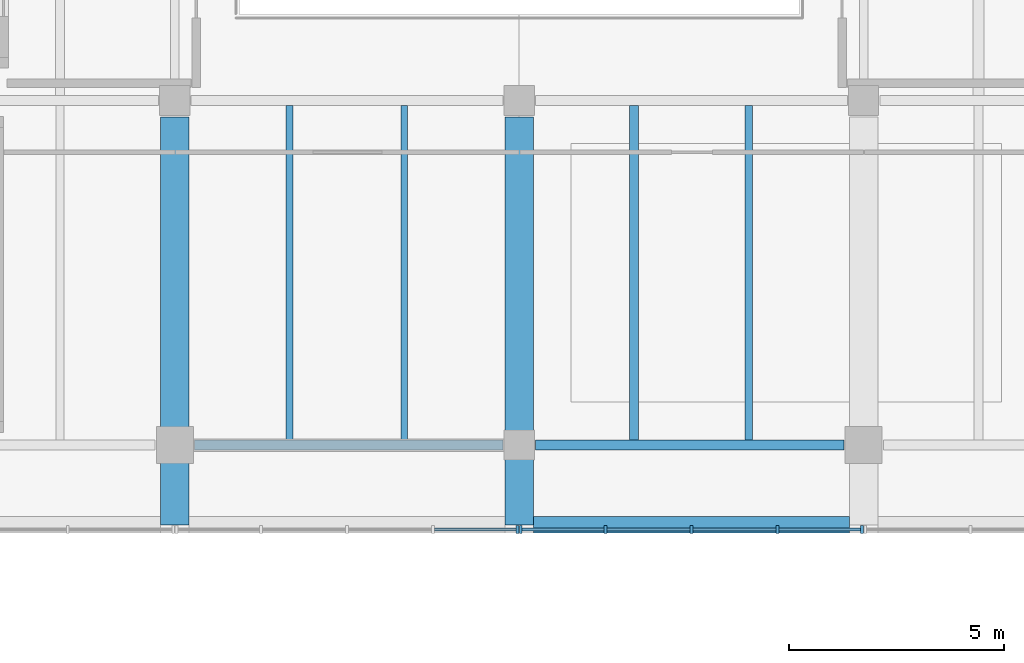
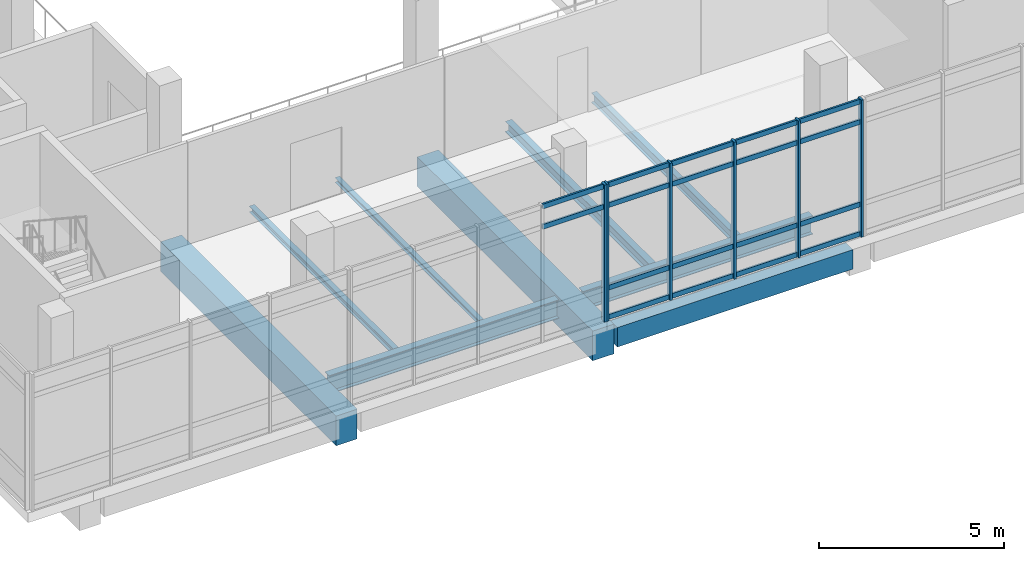
# One storey, part 14 of 47: 24 members, 9 beams, 2 elements without a shape of their own.
"""IFC4 building model written with IfcOpenShell, lengths in metres."""

from ifc_helpers import new_model, si_unit, direction, frame, origin, origin_2d, place, context, subcontext, project, spatial, rectangle, i_section, extrude, material, material_profile, profile_set, type_object, element, aggregate, save


model = new_model("IFC4")

# Units and contexts
model_context = context("Model", 3, precision=1e-05, world=origin(), true_north=direction((0.0, 1.0)))
body_context = subcontext(model_context, "Body", "Model", "MODEL_VIEW")
ifc_project = project(units=[si_unit("LENGTHUNIT", "METRE"), si_unit("AREAUNIT", "SQUARE_METRE"), si_unit("VOLUMEUNIT", "CUBIC_METRE"), si_unit("PLANEANGLEUNIT", "RADIAN"), si_unit("MASSUNIT", "GRAM", prefix="KILO")], contexts=[model_context])

# Site, building, storey
site_placement = place(None, origin())
site = spatial("IfcSite", under=ifc_project, at=site_placement, CompositionType="ELEMENT")
building_placement = place(site_placement, origin())
building = spatial("IfcBuilding", under=site, at=building_placement, Name="Pecanmere Concourse Central Library", CompositionType="ELEMENT")
storey_placement = place(building_placement, frame((0.0, 0.0, 15.300048828125)))
storey = spatial("IfcBuildingStorey", under=building, at=storey_placement, Name="L04", CompositionType="ELEMENT", Elevation=15.300048828125)

# Curtain wall, member
ifc_material_1 = material(Name="Anodized bronze aluminium alloy 6063-T6", Category="aluminium")
curtain_wall_type = type_object("IfcCurtainWallType", Name="CW_PLUMB_BANDED", PredefinedType="USERDEFINED", material=ifc_material_1)
curtain_wall_1_placement = place(storey_placement, origin())
curtain_wall_1 = element("IfcCurtainWall", 1, at=curtain_wall_1_placement, inside=storey, type_object=curtain_wall_type, Name="Unitised Curtain Wall CW-02 L04-043", ObjectType="UNITISED CURTAIN WALL", PredefinedType="USERDEFINED")
ifc_material_2 = material(Name="Anodized bronze aluminium alloy 6063-T6", Category="aluminium")
ifc_material_profile_1 = material_profile(ifc_material_2, rectangle(XDim=0.06494140625, YDim=0.179931640625, at=origin_2d()), Name="AL 65x180")
ifc_profile_set_1 = profile_set([ifc_material_profile_1], Name="Anodized bronze aluminium alloy 6063-T6")
member_type_1 = type_object("IfcMemberType", Name="CWM_180x65", PredefinedType="MULLION", material=ifc_profile_set_1)
member_1_placement = place(storey_placement, frame((87.96240234375, 88.03857421875, 0.0), z_axis=(0.0, 0.0, 1.0), x_axis=(1.0, 0.0, 0.0)))
member_1 = element("IfcMember", 2, at=member_1_placement, type_object=member_type_1, Name="CW-02 Mullion 5", PredefinedType="MULLION", context=body_context, shape_type="SweptSolid", body=[
    extrude(rectangle(XDim=0.06494140625, YDim=0.179931640625, at=origin_2d()), origin(), (0.0, 0.0, 1.0), 4.52001953125),
])

# Curtain wall, members
curtain_wall_2_placement = place(storey_placement, origin())
curtain_wall_2 = element("IfcCurtainWall", 3, at=curtain_wall_2_placement, inside=storey, type_object=curtain_wall_type, Name="Unitised Curtain Wall CW-02 L04-044", ObjectType="UNITISED CURTAIN WALL", PredefinedType="USERDEFINED")
member_2_placement = place(storey_placement, frame((88.03759765625, 88.03857421875, 0.0), z_axis=(0.0, 0.0, 1.0), x_axis=(1.0, 0.0, 0.0)))
member_2 = element("IfcMember", 4, at=member_2_placement, type_object=member_type_1, Name="CW-02 Mullion 1", PredefinedType="MULLION", context=body_context, shape_type="SweptSolid", body=[
    extrude(rectangle(XDim=0.06494140625, YDim=0.179931640625, at=origin_2d()), origin(), (0.0, 0.0, 1.0), 4.52001953125),
])
member_3_placement = place(storey_placement, frame((90.00244140625, 88.03857421875, 0.0), z_axis=(0.0, 0.0, 1.0), x_axis=(1.0, 0.0, 0.0)))
member_3 = element("IfcMember", 5, at=member_3_placement, type_object=member_type_1, Name="CW-02 Mullion 2", PredefinedType="MULLION", context=body_context, shape_type="SweptSolid", body=[
    extrude(rectangle(XDim=0.06494140625, YDim=0.179931640625, at=origin_2d()), origin(), (0.0, 0.0, 1.0), 4.52001953125),
])
member_4_placement = place(storey_placement, frame((92.0, 88.03857421875, 0.0), z_axis=(0.0, 0.0, 1.0), x_axis=(1.0, 0.0, 0.0)))
member_4 = element("IfcMember", 6, at=member_4_placement, type_object=member_type_1, Name="CW-02 Mullion 3", PredefinedType="MULLION", context=body_context, shape_type="SweptSolid", body=[
    extrude(rectangle(XDim=0.06494140625, YDim=0.179931640625, at=origin_2d()), origin(), (0.0, 0.0, 1.0), 4.52001953125),
])
member_5_placement = place(storey_placement, frame((93.99755859375, 88.03857421875, 0.0), z_axis=(0.0, 0.0, 1.0), x_axis=(1.0, 0.0, 0.0)))
member_5 = element("IfcMember", 7, at=member_5_placement, type_object=member_type_1, Name="CW-02 Mullion 4", PredefinedType="MULLION", context=body_context, shape_type="SweptSolid", body=[
    extrude(rectangle(XDim=0.06494140625, YDim=0.179931640625, at=origin_2d()), origin(), (0.0, 0.0, 1.0), 4.52001953125),
])
member_6_placement = place(storey_placement, frame((95.96240234375, 88.03857421875, 0.0), z_axis=(0.0, 0.0, 1.0), x_axis=(1.0, 0.0, 0.0)))
member_6 = element("IfcMember", 8, at=member_6_placement, type_object=member_type_1, Name="CW-02 Mullion 5", PredefinedType="MULLION", context=body_context, shape_type="SweptSolid", body=[
    extrude(rectangle(XDim=0.06494140625, YDim=0.179931640625, at=origin_2d()), origin(), (0.0, 0.0, 1.0), 4.52001953125),
])

# Member
ifc_material_3 = material(Name="Anodized bronze aluminium alloy 6063-T6", Category="aluminium")
ifc_material_profile_2 = material_profile(ifc_material_3, rectangle(XDim=0.06005859375, YDim=0.159912109375, at=origin_2d()), Name="AL 60x160")
ifc_profile_set_2 = profile_set([ifc_material_profile_2], Name="Anodized bronze aluminium alloy 6063-T6")
member_type_2 = type_object("IfcMemberType", Name="CWT_160x60", PredefinedType="USERDEFINED", material=ifc_profile_set_2)
member_7_placement = place(storey_placement, frame((86.030029296875, 88.03857421875, 3.77001953125), z_axis=(1.0, 0.0, 0.0), x_axis=(0.0, 1.0, 0.0)))
member_7 = element("IfcMember", 9, at=member_7_placement, type_object=member_type_2, Name="CW-02 Transom 4.3", ObjectType="TRANSOM", PredefinedType="USERDEFINED", context=body_context, shape_type="SweptSolid", body=[
    extrude(rectangle(XDim=0.06005859375, YDim=0.159912109375, at=origin_2d()), origin(), (0.0, 0.0, 1.0), 1.89990234375),
])

member_8_placement = place(storey_placement, frame((86.030029296875, 88.03857421875, 4.43994140625), z_axis=(1.0, 0.0, 0.0), x_axis=(0.0, 1.0, 0.0)))
member_8 = element("IfcMember", 10, at=member_8_placement, type_object=member_type_2, Name="CW-02 Transom 4.4", ObjectType="TRANSOM", PredefinedType="USERDEFINED", context=body_context, shape_type="SweptSolid", body=[
    extrude(rectangle(XDim=0.06005859375, YDim=0.159912109375, at=origin_2d()), origin(), (0.0, 0.0, 1.0), 1.89990234375),
])

aggregate(curtain_wall_1, [member_1, member_7, member_8])

member_9_placement = place(storey_placement, frame((88.070068359375, 88.03857421875, 0.079833984375), z_axis=(1.0, 0.0, 0.0), x_axis=(0.0, 1.0, 0.0)))
member_9 = element("IfcMember", 11, at=member_9_placement, type_object=member_type_2, Name="CW-02 Transom 1.1", ObjectType="TRANSOM", PredefinedType="USERDEFINED", context=body_context, shape_type="SweptSolid", body=[
    extrude(rectangle(XDim=0.06005859375, YDim=0.159912109375, at=origin_2d()), origin(), (0.0, 0.0, 1.0), 1.89990234375),
])

member_10_placement = place(storey_placement, frame((88.070068359375, 88.03857421875, 1.050048828125), z_axis=(1.0, 0.0, 0.0), x_axis=(0.0, 1.0, 0.0)))
member_10 = element("IfcMember", 12, at=member_10_placement, type_object=member_type_2, Name="CW-02 Transom 1.2", ObjectType="TRANSOM", PredefinedType="USERDEFINED", context=body_context, shape_type="SweptSolid", body=[
    extrude(rectangle(XDim=0.06005859375, YDim=0.159912109375, at=origin_2d()), origin(), (0.0, 0.0, 1.0), 1.89990234375),
])

member_11_placement = place(storey_placement, frame((88.070068359375, 88.03857421875, 3.77001953125), z_axis=(1.0, 0.0, 0.0), x_axis=(0.0, 1.0, 0.0)))
member_11 = element("IfcMember", 13, at=member_11_placement, type_object=member_type_2, Name="CW-02 Transom 1.3", ObjectType="TRANSOM", PredefinedType="USERDEFINED", context=body_context, shape_type="SweptSolid", body=[
    extrude(rectangle(XDim=0.06005859375, YDim=0.159912109375, at=origin_2d()), origin(), (0.0, 0.0, 1.0), 1.89990234375),
])

member_12_placement = place(storey_placement, frame((88.070068359375, 88.03857421875, 4.43994140625), z_axis=(1.0, 0.0, 0.0), x_axis=(0.0, 1.0, 0.0)))
member_12 = element("IfcMember", 14, at=member_12_placement, type_object=member_type_2, Name="CW-02 Transom 1.4", ObjectType="TRANSOM", PredefinedType="USERDEFINED", context=body_context, shape_type="SweptSolid", body=[
    extrude(rectangle(XDim=0.06005859375, YDim=0.159912109375, at=origin_2d()), origin(), (0.0, 0.0, 1.0), 1.89990234375),
])

member_13_placement = place(storey_placement, frame((90.034912109375, 88.03857421875, 0.079833984375), z_axis=(1.0, 0.0, 0.0), x_axis=(0.0, 1.0, 0.0)))
member_13 = element("IfcMember", 15, at=member_13_placement, type_object=member_type_2, Name="CW-02 Transom 2.1", ObjectType="TRANSOM", PredefinedType="USERDEFINED", context=body_context, shape_type="SweptSolid", body=[
    extrude(rectangle(XDim=0.06005859375, YDim=0.159912109375, at=origin_2d()), origin(), (0.0, 0.0, 1.0), 1.9326171875),
])

member_14_placement = place(storey_placement, frame((90.034912109375, 88.03857421875, 1.050048828125), z_axis=(1.0, 0.0, 0.0), x_axis=(0.0, 1.0, 0.0)))
member_14 = element("IfcMember", 16, at=member_14_placement, type_object=member_type_2, Name="CW-02 Transom 2.2", ObjectType="TRANSOM", PredefinedType="USERDEFINED", context=body_context, shape_type="SweptSolid", body=[
    extrude(rectangle(XDim=0.06005859375, YDim=0.159912109375, at=origin_2d()), origin(), (0.0, 0.0, 1.0), 1.9326171875),
])

member_15_placement = place(storey_placement, frame((90.034912109375, 88.03857421875, 3.77001953125), z_axis=(1.0, 0.0, 0.0), x_axis=(0.0, 1.0, 0.0)))
member_15 = element("IfcMember", 17, at=member_15_placement, type_object=member_type_2, Name="CW-02 Transom 2.3", ObjectType="TRANSOM", PredefinedType="USERDEFINED", context=body_context, shape_type="SweptSolid", body=[
    extrude(rectangle(XDim=0.06005859375, YDim=0.159912109375, at=origin_2d()), origin(), (0.0, 0.0, 1.0), 1.9326171875),
])

member_16_placement = place(storey_placement, frame((90.034912109375, 88.03857421875, 4.43994140625), z_axis=(1.0, 0.0, 0.0), x_axis=(0.0, 1.0, 0.0)))
member_16 = element("IfcMember", 18, at=member_16_placement, type_object=member_type_2, Name="CW-02 Transom 2.4", ObjectType="TRANSOM", PredefinedType="USERDEFINED", context=body_context, shape_type="SweptSolid", body=[
    extrude(rectangle(XDim=0.06005859375, YDim=0.159912109375, at=origin_2d()), origin(), (0.0, 0.0, 1.0), 1.9326171875),
])

member_17_placement = place(storey_placement, frame((92.032470703125, 88.03857421875, 0.079833984375), z_axis=(1.0, 0.0, 0.0), x_axis=(0.0, 1.0, 0.0)))
member_17 = element("IfcMember", 19, at=member_17_placement, type_object=member_type_2, Name="CW-02 Transom 3.1", ObjectType="TRANSOM", PredefinedType="USERDEFINED", context=body_context, shape_type="SweptSolid", body=[
    extrude(rectangle(XDim=0.06005859375, YDim=0.159912109375, at=origin_2d()), origin(), (0.0, 0.0, 1.0), 1.9326171875),
])

member_18_placement = place(storey_placement, frame((92.032470703125, 88.03857421875, 1.050048828125), z_axis=(1.0, 0.0, 0.0), x_axis=(0.0, 1.0, 0.0)))
member_18 = element("IfcMember", 20, at=member_18_placement, type_object=member_type_2, Name="CW-02 Transom 3.2", ObjectType="TRANSOM", PredefinedType="USERDEFINED", context=body_context, shape_type="SweptSolid", body=[
    extrude(rectangle(XDim=0.06005859375, YDim=0.159912109375, at=origin_2d()), origin(), (0.0, 0.0, 1.0), 1.9326171875),
])

member_19_placement = place(storey_placement, frame((92.032470703125, 88.03857421875, 3.77001953125), z_axis=(1.0, 0.0, 0.0), x_axis=(0.0, 1.0, 0.0)))
member_19 = element("IfcMember", 21, at=member_19_placement, type_object=member_type_2, Name="CW-02 Transom 3.3", ObjectType="TRANSOM", PredefinedType="USERDEFINED", context=body_context, shape_type="SweptSolid", body=[
    extrude(rectangle(XDim=0.06005859375, YDim=0.159912109375, at=origin_2d()), origin(), (0.0, 0.0, 1.0), 1.9326171875),
])

member_20_placement = place(storey_placement, frame((92.032470703125, 88.03857421875, 4.43994140625), z_axis=(1.0, 0.0, 0.0), x_axis=(0.0, 1.0, 0.0)))
member_20 = element("IfcMember", 22, at=member_20_placement, type_object=member_type_2, Name="CW-02 Transom 3.4", ObjectType="TRANSOM", PredefinedType="USERDEFINED", context=body_context, shape_type="SweptSolid", body=[
    extrude(rectangle(XDim=0.06005859375, YDim=0.159912109375, at=origin_2d()), origin(), (0.0, 0.0, 1.0), 1.9326171875),
])

member_21_placement = place(storey_placement, frame((94.030029296875, 88.03857421875, 0.079833984375), z_axis=(1.0, 0.0, 0.0), x_axis=(0.0, 1.0, 0.0)))
member_21 = element("IfcMember", 23, at=member_21_placement, type_object=member_type_2, Name="CW-02 Transom 4.1", ObjectType="TRANSOM", PredefinedType="USERDEFINED", context=body_context, shape_type="SweptSolid", body=[
    extrude(rectangle(XDim=0.06005859375, YDim=0.159912109375, at=origin_2d()), origin(), (0.0, 0.0, 1.0), 1.89990234375),
])

member_22_placement = place(storey_placement, frame((94.030029296875, 88.03857421875, 1.050048828125), z_axis=(1.0, 0.0, 0.0), x_axis=(0.0, 1.0, 0.0)))
member_22 = element("IfcMember", 24, at=member_22_placement, type_object=member_type_2, Name="CW-02 Transom 4.2", ObjectType="TRANSOM", PredefinedType="USERDEFINED", context=body_context, shape_type="SweptSolid", body=[
    extrude(rectangle(XDim=0.06005859375, YDim=0.159912109375, at=origin_2d()), origin(), (0.0, 0.0, 1.0), 1.89990234375),
])

member_23_placement = place(storey_placement, frame((94.030029296875, 88.03857421875, 3.77001953125), z_axis=(1.0, 0.0, 0.0), x_axis=(0.0, 1.0, 0.0)))
member_23 = element("IfcMember", 25, at=member_23_placement, type_object=member_type_2, Name="CW-02 Transom 4.3", ObjectType="TRANSOM", PredefinedType="USERDEFINED", context=body_context, shape_type="SweptSolid", body=[
    extrude(rectangle(XDim=0.06005859375, YDim=0.159912109375, at=origin_2d()), origin(), (0.0, 0.0, 1.0), 1.89990234375),
])

member_24_placement = place(storey_placement, frame((94.030029296875, 88.03857421875, 4.43994140625), z_axis=(1.0, 0.0, 0.0), x_axis=(0.0, 1.0, 0.0)))
member_24 = element("IfcMember", 26, at=member_24_placement, type_object=member_type_2, Name="CW-02 Transom 4.4", ObjectType="TRANSOM", PredefinedType="USERDEFINED", context=body_context, shape_type="SweptSolid", body=[
    extrude(rectangle(XDim=0.06005859375, YDim=0.159912109375, at=origin_2d()), origin(), (0.0, 0.0, 1.0), 1.89990234375),
])

aggregate(curtain_wall_2, [member_2, member_3, member_4, member_5, member_6, member_9, member_10, member_11, member_12, member_13, member_14, member_15, member_16, member_17, member_18, member_19, member_20, member_21, member_22, member_23, member_24])

# Beams
ifc_material_4 = material(Name="Concrete C40/50", Category="concrete")
ifc_material_profile_3 = material_profile(ifc_material_4, rectangle(XDim=0.659912109375, YDim=0.97998046875, at=origin_2d()), Name="RC 660x980")
ifc_profile_set_3 = profile_set([ifc_material_profile_3], Name="Concrete C40/50")
beam_type_1 = type_object("IfcBeamType", Name="GRD_660x980", PredefinedType="USERDEFINED", material=ifc_profile_set_3)
for number, where, z_axis, x_axis, name in (
    (27, (80.0, 88.1484375, -0.81005859375), (0.0, 1.0, 0.0), (-1.0, 0.0, 0.0), "Primary Girder Y L04-2275"),
    (28, (88.0, 88.1484375, -0.81005859375), (0.0, 1.0, 0.0), (-1.0, 0.0, 0.0), "Primary Girder Y L04-2279"),
):
    element("IfcBeam", number, at=place(storey_placement, frame(where, z_axis=z_axis, x_axis=x_axis)), inside=storey, type_object=beam_type_1, Name=name, ObjectType="GIRDER", PredefinedType="USERDEFINED", context=body_context, shape_type="SweptSolid", body=[
        extrude(rectangle(XDim=0.659912109375, YDim=0.97998046875, at=origin_2d()), origin(), (0.0, 0.0, 1.0), 9.4765625),
    ])
ifc_material_5 = material(Name="Structural steel ASTM A992 Grade 50", Category="steel")
ifc_material_profile_4 = material_profile(ifc_material_5, i_section(OverallWidth=0.152099609375, OverallDepth=0.152099609375, WebThickness=0.005859375, FlangeThickness=0.006591796875, at=origin_2d()), Name="W150x22.5")
ifc_profile_set_4 = profile_set([ifc_material_profile_4], Name="Structural steel ASTM A992 Grade 50")
beam_type_2 = type_object("IfcBeamType", Name="SBM_W150x22", PredefinedType="LINTEL", material=ifc_profile_set_4)
beam_1_placement = place(storey_placement, frame((85.333251953125, 90.114990234375, -0.39599609375), z_axis=(0.0, 1.0, 0.0), x_axis=(-1.0, 0.0, 0.0)))
element("IfcBeam", 29, at=beam_1_placement, inside=storey, type_object=beam_type_2, Name="Secondary Floor Joist L04-2388", PredefinedType="LINTEL", context=body_context, shape_type="SweptSolid", body=[
    extrude(i_section(OverallWidth=0.152099609375, OverallDepth=0.152099609375, WebThickness=0.005859375, FlangeThickness=0.006591796875, at=origin_2d()), origin(), (0.0, 0.0, 1.0), 7.77001953125),
])
ifc_material_6 = material(Name="Structural steel ASTM A992 Grade 50", Category="steel")
ifc_material_profile_5 = material_profile(ifc_material_6, i_section(OverallWidth=0.1650390625, OverallDepth=0.200927734375, WebThickness=0.006103515625, FlangeThickness=0.01025390625, at=origin_2d()), Name="W200x35.9")
ifc_profile_set_5 = profile_set([ifc_material_profile_5], Name="Structural steel ASTM A992 Grade 50")
beam_type_3 = type_object("IfcBeamType", Name="SBM_W200x36", PredefinedType="LINTEL", material=ifc_profile_set_5)
beam_2_placement = place(storey_placement, frame((82.666748046875, 90.114990234375, -0.420654296875), z_axis=(0.0, 1.0, 0.0), x_axis=(-1.0, 0.0, 0.0)))
element("IfcBeam", 30, at=beam_2_placement, inside=storey, type_object=beam_type_3, Name="Secondary Floor Joist L04-2387", PredefinedType="LINTEL", context=body_context, shape_type="SweptSolid", body=[
    extrude(i_section(OverallWidth=0.1650390625, OverallDepth=0.200927734375, WebThickness=0.006103515625, FlangeThickness=0.01025390625, at=origin_2d()), origin(), (0.0, 0.0, 1.0), 7.77001953125),
])
ifc_material_7 = material(Name="Structural steel ASTM A992 Grade 50", Category="steel")
ifc_material_profile_6 = material_profile(ifc_material_7, i_section(OverallWidth=0.1669921875, OverallDepth=0.31689453125, WebThickness=0.007568359375, FlangeThickness=0.01318359375, at=origin_2d()), Name="W310x52")
ifc_profile_set_6 = profile_set([ifc_material_profile_6], Name="Structural steel ASTM A992 Grade 50")
beam_type_4 = type_object("IfcBeamType", Name="SBM_W310x52", PredefinedType="JOIST", material=ifc_profile_set_6)
beam_3_placement = place(storey_placement, frame((93.333251953125, 90.114990234375, -0.478515625), z_axis=(0.0, 1.0, 0.0), x_axis=(-1.0, 0.0, 0.0)))
element("IfcBeam", 31, at=beam_3_placement, inside=storey, type_object=beam_type_4, Name="Secondary Floor Joist L04-2392", PredefinedType="JOIST", context=body_context, shape_type="SweptSolid", body=[
    extrude(i_section(OverallWidth=0.1669921875, OverallDepth=0.31689453125, WebThickness=0.007568359375, FlangeThickness=0.01318359375, at=origin_2d()), origin(), (0.0, 0.0, 1.0), 7.77001953125),
])
ifc_material_8 = material(Name="Structural steel ASTM A992 Grade 50", Category="steel")
ifc_material_profile_7 = material_profile(ifc_material_8, i_section(OverallWidth=0.202880859375, OverallDepth=0.346923828125, WebThickness=0.0078125, FlangeThickness=0.013427734375, at=origin_2d()), Name="W360x64")
ifc_profile_set_7 = profile_set([ifc_material_profile_7], Name="Structural steel ASTM A992 Grade 50")
beam_type_5 = type_object("IfcBeamType", Name="SBM_W360x64", PredefinedType="JOIST", material=ifc_profile_set_7)
beam_4_placement = place(storey_placement, frame((90.666748046875, 90.114990234375, -0.49365234375), z_axis=(0.0, 1.0, 0.0), x_axis=(-1.0, 0.0, 0.0)))
element("IfcBeam", 32, at=beam_4_placement, inside=storey, type_object=beam_type_5, Name="Secondary Floor Joist L04-2391", PredefinedType="JOIST", context=body_context, shape_type="SweptSolid", body=[
    extrude(i_section(OverallWidth=0.202880859375, OverallDepth=0.346923828125, WebThickness=0.0078125, FlangeThickness=0.013427734375, at=origin_2d()), origin(), (0.0, 0.0, 1.0), 7.77001953125),
])
ifc_material_9 = material(Name="Structural steel ASTM A992 Grade 50", Category="steel")
ifc_material_profile_8 = material_profile(ifc_material_9, i_section(OverallWidth=0.22998046875, OverallDepth=0.616943359375, WebThickness=0.01318359375, FlangeThickness=0.022216796875, at=origin_2d()), Name="W610x140")
ifc_profile_set_8 = profile_set([ifc_material_profile_8], Name="Structural steel ASTM A992 Grade 50")
beam_type_6 = type_object("IfcBeamType", Name="SBM_W610x140", PredefinedType="USERDEFINED", material=ifc_profile_set_8)
for number, where, z_axis, x_axis, name in (
    (33, (80.4599609375, 90.0, -0.628662109375), (1.0, 0.0, 0.0), (0.0, 1.0, 0.0), "Primary Girder X L04-2184"),
    (34, (88.375, 90.0, -0.628662109375), (1.0, 0.0, 0.0), (0.0, 1.0, 0.0), "Primary Girder X L04-2185"),
):
    element("IfcBeam", number, at=place(storey_placement, frame(where, z_axis=z_axis, x_axis=x_axis)), inside=storey, type_object=beam_type_6, Name=name, ObjectType="GIRDER", PredefinedType="USERDEFINED", context=body_context, shape_type="SweptSolid", body=[
        extrude(i_section(OverallWidth=0.22998046875, OverallDepth=0.616943359375, WebThickness=0.01318359375, FlangeThickness=0.022216796875, at=origin_2d()), origin(), (0.0, 0.0, 1.0), 7.1650390625),
    ])
ifc_material_10 = material(Name="Concrete C40/50", Category="concrete")
ifc_material_profile_9 = material_profile(ifc_material_10, rectangle(XDim=0.3798828125, YDim=0.639892578125, at=origin_2d()), Name="RC 380x640")
ifc_profile_set_9 = profile_set([ifc_material_profile_9], Name="Concrete C40/50")
beam_type_7 = type_object("IfcBeamType", Name="SPB_380x640", PredefinedType="BEAM", material=ifc_profile_set_9)
beam_5_placement = place(storey_placement, frame((88.330078125, 88.1484375, -0.64013671875), z_axis=(1.0, 0.0, 0.0), x_axis=(0.0, 1.0, 0.0)))
element("IfcBeam", 35, at=beam_5_placement, inside=storey, type_object=beam_type_7, Name="Leaning Facade Edge Beam L04-2340", PredefinedType="BEAM", context=body_context, shape_type="SweptSolid", body=[
    extrude(rectangle(XDim=0.3798828125, YDim=0.639892578125, at=origin_2d()), origin(), (0.0, 0.0, 1.0), 7.33984375),
])

save(model, "model.ifc")
